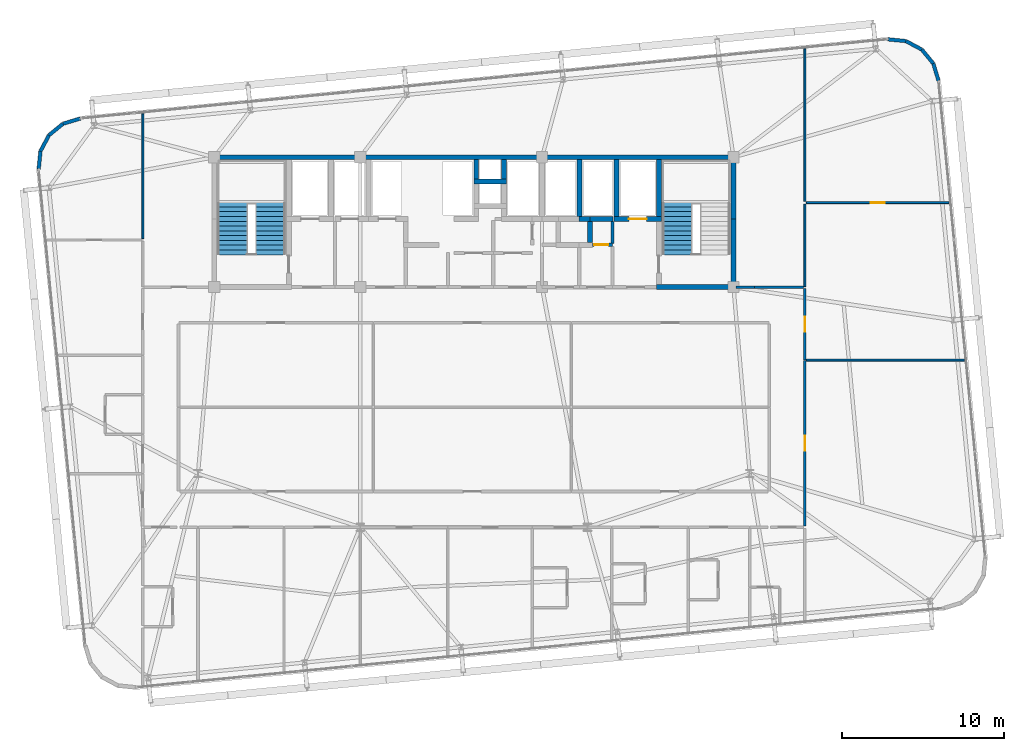
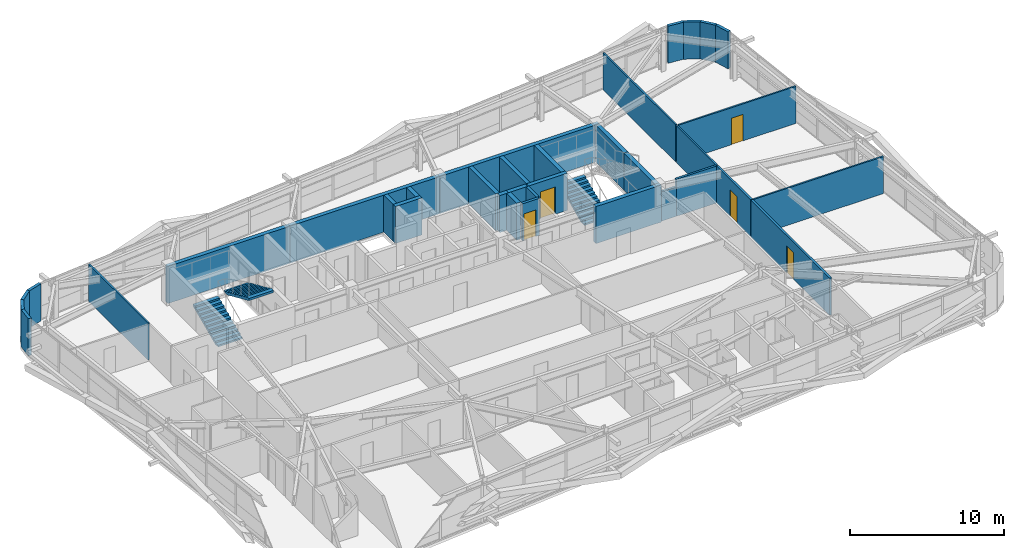
# One storey, part 50 of 54: 35 walls, 5 doors, 3 stair flights, 5 openings, 2 elements without a shape of their own.
"""IFC4 building model written with IfcOpenShell, lengths in metres."""

from ifc_helpers import new_model, si_unit, direction, frame, frame_2d, origin, place, context, subcontext, project, spatial, polyline, rectangle, outline, extrude, source, transform, mapped, material, layer, layer_set, type_object, element, fill, aggregate, save


model = new_model("IFC4")

# Units and contexts
model_context = context("Model", 3, precision=1e-05, world=origin(), true_north=direction((0.0, 1.0)))
body_context = subcontext(model_context, "Body", "Model", "MODEL_VIEW")
ifc_project = project(units=[si_unit("LENGTHUNIT", "METRE"), si_unit("AREAUNIT", "SQUARE_METRE"), si_unit("VOLUMEUNIT", "CUBIC_METRE"), si_unit("PLANEANGLEUNIT", "RADIAN"), si_unit("MASSUNIT", "GRAM", prefix="KILO")], contexts=[model_context])

# Site, building, storey
site_placement = place(None, origin())
site = spatial("IfcSite", under=ifc_project, at=site_placement, CompositionType="ELEMENT")
building_placement = place(site_placement, origin())
building = spatial("IfcBuilding", under=site, at=building_placement, Name="Taldren Reach Tower", CompositionType="ELEMENT")
storey_placement = place(building_placement, frame((0.0, 0.0, 99.75)))
storey = spatial("IfcBuildingStorey", under=building, at=storey_placement, Name="L30", CompositionType="ELEMENT", Elevation=99.75)

# Walls
ifc_material_1 = material(Name="Pale Champagne Anodised Aluminium Cladding", Category="aluminium")
ifc_layer_1 = layer(ifc_material_1, 0.04, Name="Pale Champagne Anodised Aluminium Cladding", Category="aluminium")
ifc_material_2 = material(Name="Mineral Wool Acoustic Insulation", Category="insulation")
ifc_layer_2 = layer(ifc_material_2, 0.06, Name="Mineral Wool Acoustic Insulation", Category="insulation")
ifc_material_3 = material(Name="Steel Gr 350 (C350L0)", Category="steel")
ifc_layer_3 = layer(ifc_material_3, 0.12, Name="Steel Gr 350 (C350L0)", Category="steel")
ifc_layer_set_1 = layer_set([ifc_layer_1, ifc_layer_2, ifc_layer_3], Name="Pale Champagne Aluminium Cladding and Steel Gr 350 Stud Framing")
wall_type_1 = type_object("IfcWallType", Name="EW-CRN-220", PredefinedType="SOLIDWALL", material=ifc_layer_set_1)
shared_shape_1 = source(origin(), body_context, "Body", "SweptSolid", [
    extrude(rectangle(XDim=1.115966796875, YDim=0.219970703125, at=frame_2d((0.55810546875, 0.0))), origin(), (0.0, 0.0, 1.0), 2.929931640625),
])
for number, where, z_axis, x_axis, name in (
    (1, (63.6376953125, 36.6982421875, 0.0), (0.0, 0.0, 1.0), (-0.289855603468, 0.957070388811, 0.0), "Rounded-corner pale-metal facade wall L30-NE1"),
    (2, (62.606689453125, 38.629150390625, 0.0), (0.0, 0.0, 1.0), (-0.881655534635, 0.471893545461, 0.0), "Rounded-corner pale-metal facade wall L30-NE3"),
    (3, (61.622802734375, 39.15576171875, 0.0), (0.0, 0.0, 1.0), (-0.995142755671, 0.09844234778, 0.0), "Rounded-corner pale-metal facade wall L30-NE4"),
    (4, (10.7509765625, 34.386474609375, 0.0), (0.0, 0.0, 1.0), (-0.957070388811, -0.289855603468, 0.0), "Rounded-corner pale-metal facade wall L30-NW1"),
):
    element("IfcWall", number, at=place(storey_placement, frame(where, z_axis=z_axis, x_axis=x_axis)), inside=storey, type_object=wall_type_1, Name=name, PredefinedType="SOLIDWALL", context=body_context, shape_type="MappedRepresentation", body=[
        mapped(shared_shape_1, transform((0.0, 0.0, 0.0), scale=1.0)),
    ])
shared_shape_2 = source(origin(), body_context, "Body", "SweptSolid", [
    extrude(rectangle(XDim=1.11572265625, YDim=0.219970703125, at=frame_2d((0.557861328125, 0.0))), origin(), (0.0, 0.0, 1.0), 2.929931640625),
])
for number, where, z_axis, x_axis, name in (
    (5, (63.314208984375, 37.766357421875, 0.0), (0.0, 0.0, 1.0), (-0.634095287989, 0.773254916409, 0.0), "Rounded-corner pale-metal facade wall L30-NE2"),
    (6, (9.682861328125, 34.06298828125, 0.0), (0.0, 0.0, 1.0), (-0.773254916409, -0.634095287989, 0.0), "Rounded-corner pale-metal facade wall L30-NW2"),
    (7, (8.29345703125, 32.371337890625, 0.0), (0.0, 0.0, 1.0), (-0.098463783145, -0.99514063499, 0.0), "Rounded-corner pale-metal facade wall L30-NW4"),
):
    element("IfcWall", number, at=place(storey_placement, frame(where, z_axis=z_axis, x_axis=x_axis)), inside=storey, type_object=wall_type_1, Name=name, PredefinedType="SOLIDWALL", context=body_context, shape_type="MappedRepresentation", body=[
        mapped(shared_shape_2, transform((0.0, 0.0, 0.0), scale=1.0)),
    ])
shared_shape_3 = source(origin(), body_context, "Body", "SweptSolid", [
    extrude(rectangle(XDim=1.1162109375, YDim=0.219970703125, at=frame_2d((0.55810546875, 0.0))), origin(), (0.0, 0.0, 1.0), 2.929931640625),
])
wall_1_placement = place(storey_placement, frame((8.820068359375, 33.35546875, 0.0), z_axis=(0.0, 0.0, 1.0), x_axis=(-0.471802540493, -0.881704237704, 0.0)))
element("IfcWall", 8, at=wall_1_placement, inside=storey, type_object=wall_type_1, Name="Rounded-corner pale-metal facade wall L30-NW3", PredefinedType="SOLIDWALL", context=body_context, shape_type="MappedRepresentation", body=[
    mapped(shared_shape_3, transform((0.0, 0.0, 0.0), scale=1.0)),
])

# Wall, opening, door
ifc_material_4 = material(Name="Concrete S50 (50 MPa)", Category="concrete")
ifc_layer_4 = layer(ifc_material_4, 0.199951171875)
ifc_layer_set_2 = layer_set([ifc_layer_4], Name="Concrete S50 (50 MPa)")
wall_type_2 = type_object("IfcWallType", Name="IW-CORE-200", PredefinedType="SOLIDWALL", material=ifc_layer_set_2)
shared_shape_4 = source(origin(), body_context, "Body", "SweptSolid", [
    extrude(rectangle(XDim=1.25, YDim=0.199951171875, at=frame_2d((0.625, 0.0))), origin(), (0.0, 0.0, 1.0), 2.929931640625),
])
wall_2_placement = place(storey_placement, frame((42.300048828125, 26.60009765625, 0.0), z_axis=(0.0, 0.0, 1.0), x_axis=(1.0, 0.0, 0.0)))
wall_2 = element("IfcWall", 9, at=wall_2_placement, inside=storey, type_object=wall_type_2, Name="Rear Core Shear Wall W-INT-L30-058", PredefinedType="SOLIDWALL", context=body_context, shape_type="MappedRepresentation", body=[
    mapped(shared_shape_4, transform((0.0, 0.0, 0.0), scale=1.0)),
])
shared_shape_5 = source(origin(), body_context, "Body", "SweptSolid", [
    extrude(rectangle(XDim=0.8798828125, YDim=2.10009765625, at=frame_2d((0.43994140625, 1.050048828125))), frame((0.0, 0.10986328125, 0.0), z_axis=(0.0, -1.0, 0.0), x_axis=(1.0, 0.0, 0.0)), (0.0, 0.0, 1.0), 0.219970703125),
])
opening_1_placement = place(wall_2_placement, frame((0.110107421875, 0.0, 0.0)))
opening_1 = element("IfcOpeningElement", 10, at=opening_1_placement, cuts=wall_2, Name="Opening DF-088", PredefinedType="OPENING", context=body_context, shape_type="MappedRepresentation", body=[
    mapped(shared_shape_5, transform((0.0, 0.0, 0.0), scale=1.0)),
])
ifc_material_5 = material(Name="Fire-Rated Service Closet Door")
door_type_1 = type_object("IfcDoorType", Name="ID-FIRE-088", OperationType="NOTDEFINED", PredefinedType="DOOR", material=ifc_material_5)
shared_shape_6 = source(origin(), body_context, "Body", "SweptSolid", [
    extrude(rectangle(XDim=0.8798828125, YDim=2.10009765625, at=frame_2d((0.43994140625, 1.050048828125))), frame((0.0, 0.02490234375, 0.0), z_axis=(0.0, -1.0, 0.0), x_axis=(1.0, 0.0, 0.0)), (0.0, 0.0, 1.0), 0.050048828125),
])
door_1_placement = place(opening_1_placement, origin())
door_1 = element("IfcDoor", 11, at=door_1_placement, inside=storey, type_object=door_type_1, Name="Interior Door DR-L30-012", OperationType="SINGLE_SWING_LEFT", OverallHeight=2.10009765625, OverallWidth=0.8798828125, PredefinedType="DOOR", context=body_context, shape_type="MappedRepresentation", body=[
    mapped(shared_shape_6, transform((0.0, 0.0, 0.0), scale=1.0)),
])
fill(opening_1, door_1)

# Walls
ifc_material_6 = material(Name="Concrete S65 (65 MPa)", Category="concrete")
ifc_layer_5 = layer(ifc_material_6, 0.300048828125)
ifc_layer_set_3 = layer_set([ifc_layer_5], Name="Concrete S65 (65 MPa)")
wall_type_3 = type_object("IfcWallType", Name="IW-CORE-300", PredefinedType="SHEAR", material=ifc_layer_set_3)
shared_shape_7 = source(origin(), body_context, "Body", "SweptSolid", [
    extrude(rectangle(XDim=9.14990234375, YDim=0.300048828125, at=frame_2d((4.574951171875, 0.0))), origin(), (0.0, 0.0, 1.0), 2.929931640625),
])
wall_3_placement = place(storey_placement, frame((18.85009765625, 32.0, 0.0), z_axis=(0.0, 0.0, 1.0), x_axis=(1.0, 0.0, 0.0)))
element("IfcWall", 12, at=wall_3_placement, inside=storey, type_object=wall_type_3, Name="Rear Core Shear Wall W-CORE-L30-NORTH1", PredefinedType="SHEAR", context=body_context, shape_type="MappedRepresentation", body=[
    mapped(shared_shape_7, transform((0.0, 0.0, 0.0), scale=1.0)),
])
shared_shape_8 = source(origin(), body_context, "Body", "SweptSolid", [
    extrude(rectangle(XDim=11.199951171875, YDim=0.300048828125, at=frame_2d((5.60009765625, 0.0))), origin(), (0.0, 0.0, 1.0), 2.929931640625),
])
wall_4_placement = place(storey_placement, frame((28.0, 32.0, 0.0), z_axis=(0.0, 0.0, 1.0), x_axis=(1.0, 0.0, 0.0)))
element("IfcWall", 13, at=wall_4_placement, inside=storey, type_object=wall_type_3, Name="Rear Core Shear Wall W-CORE-L30-NORTH2", PredefinedType="SHEAR", context=body_context, shape_type="MappedRepresentation", body=[
    mapped(shared_shape_8, transform((0.0, 0.0, 0.0), scale=1.0)),
])
shared_shape_9 = source(origin(), body_context, "Body", "SweptSolid", [
    extrude(rectangle(XDim=11.949951171875, YDim=0.300048828125, at=frame_2d((5.97509765625, 0.0))), origin(), (0.0, 0.0, 1.0), 2.929931640625),
])
wall_5_placement = place(storey_placement, frame((39.199951171875, 32.0, 0.0), z_axis=(0.0, 0.0, 1.0), x_axis=(1.0, 0.0, 0.0)))
element("IfcWall", 14, at=wall_5_placement, inside=storey, type_object=wall_type_3, Name="Rear Core Shear Wall W-CORE-L30-NORTH3", PredefinedType="SHEAR", context=body_context, shape_type="MappedRepresentation", body=[
    mapped(shared_shape_9, transform((0.0, 0.0, 0.0), scale=1.0)),
])
shared_shape_10 = source(origin(), body_context, "Body", "SweptSolid", [
    extrude(rectangle(XDim=4.050048828125, YDim=0.300048828125, at=frame_2d((2.02490234375, 0.0))), origin(), (0.0, 0.0, 1.0), 2.929931640625),
])
wall_6_placement = place(storey_placement, frame((51.0, 24.14990234375, 0.0), z_axis=(0.0, 0.0, 1.0), x_axis=(0.0, 1.0, 0.0)))
element("IfcWall", 15, at=wall_6_placement, inside=storey, type_object=wall_type_3, Name="Rear Core Shear Wall W-CORE-L30-EAST1", PredefinedType="SHEAR", context=body_context, shape_type="MappedRepresentation", body=[
    mapped(shared_shape_10, transform((0.0, 0.0, 0.0), scale=1.0)),
])
shared_shape_11 = source(origin(), body_context, "Body", "SweptSolid", [
    extrude(rectangle(XDim=3.650146484375, YDim=0.300048828125, at=frame_2d((1.8251953125, 0.0))), origin(), (0.0, 0.0, 1.0), 2.929931640625),
])
wall_7_placement = place(storey_placement, frame((51.0, 28.199951171875, 0.0), z_axis=(0.0, 0.0, 1.0), x_axis=(0.0, 1.0, 0.0)))
element("IfcWall", 16, at=wall_7_placement, inside=storey, type_object=wall_type_3, Name="Rear Core Shear Wall W-CORE-L30-EAST2", PredefinedType="SHEAR", context=body_context, shape_type="MappedRepresentation", body=[
    mapped(shared_shape_11, transform((0.0, 0.0, 0.0), scale=1.0)),
])
shared_shape_12 = source(origin(), body_context, "Body", "SweptSolid", [
    extrude(rectangle(XDim=3.5, YDim=0.300048828125, at=frame_2d((1.75, 0.0))), origin(), (0.0, 0.0, 1.0), 2.929931640625),
])
for number, where, z_axis, x_axis, name in (
    (17, (46.39990234375, 31.85009765625, 0.0), (0.0, 0.0, 1.0), (0.0, -1.0, 0.0), "Rear Core Shear Wall W-INT-L30-008"),
    (18, (43.800048828125, 31.85009765625, 0.0), (0.0, 0.0, 1.0), (0.0, -1.0, 0.0), "Rear Core Shear Wall W-INT-L30-012"),
    (19, (41.5, 28.35009765625, 0.0), (0.0, 0.0, 1.0), (0.0, 1.0, 0.0), "Rear Core Shear Wall W-INT-L30-041"),
):
    element("IfcWall", number, at=place(storey_placement, frame(where, z_axis=z_axis, x_axis=x_axis)), inside=storey, type_object=wall_type_3, Name=name, PredefinedType="SHEAR", context=body_context, shape_type="MappedRepresentation", body=[
        mapped(shared_shape_12, transform((0.0, 0.0, 0.0), scale=1.0)),
    ])
shared_shape_13 = source(origin(), body_context, "Body", "SweptSolid", [
    extrude(rectangle(XDim=4.89990234375, YDim=0.300048828125, at=frame_2d((2.449951171875, 0.0))), origin(), (0.0, 0.0, 1.0), 2.929931640625),
])
wall_8_placement = place(storey_placement, frame((46.25, 24.0, 0.0), z_axis=(0.0, 0.0, 1.0), x_axis=(1.0, 0.0, 0.0)))
element("IfcWall", 20, at=wall_8_placement, inside=storey, type_object=wall_type_3, Name="Rear Core Shear Wall W-INT-L30-010", PredefinedType="SHEAR", context=body_context, shape_type="MappedRepresentation", body=[
    mapped(shared_shape_13, transform((0.0, 0.0, 0.0), scale=1.0)),
])

# Wall, opening, door
shared_shape_14 = source(origin(), body_context, "Body", "SweptSolid", [
    extrude(rectangle(XDim=2.900146484375, YDim=0.300048828125, at=frame_2d((1.4501953125, 0.0))), origin(), (0.0, 0.0, 1.0), 2.929931640625),
])
wall_9_placement = place(storey_placement, frame((43.64990234375, 28.199951171875, 0.0), z_axis=(0.0, 0.0, 1.0), x_axis=(1.0, 0.0, 0.0)))
wall_9 = element("IfcWall", 21, at=wall_9_placement, inside=storey, type_object=wall_type_3, Name="Rear Core Shear Wall W-INT-L30-011", PredefinedType="SHEAR", context=body_context, shape_type="MappedRepresentation", body=[
    mapped(shared_shape_14, transform((0.0, 0.0, 0.0), scale=1.0)),
])
shared_shape_15 = source(origin(), body_context, "Body", "SweptSolid", [
    extrude(rectangle(XDim=1.10009765625, YDim=2.14990234375, at=frame_2d((0.550048828125, 1.074951171875))), frame((0.0, 0.16015625, 0.0), z_axis=(0.0, -1.0, 0.0), x_axis=(1.0, 0.0, 0.0)), (0.0, 0.0, 1.0), 0.320068359375),
])
opening_2_placement = place(wall_9_placement, frame((0.89990234375, 0.0, 0.0)))
opening_2 = element("IfcOpeningElement", 22, at=opening_2_placement, cuts=wall_9, Name="Opening LD-FL2", PredefinedType="OPENING", context=body_context, shape_type="MappedRepresentation", body=[
    mapped(shared_shape_15, transform((0.0, 0.0, 0.0), scale=1.0)),
])
ifc_material_7 = material(Name="Stainless Steel Gr 316 Emergency Lift Landing Door", Category="steel")
door_type_2 = type_object("IfcDoorType", Name="LD-EMG-110", OperationType="SLIDING_TO_LEFT", PredefinedType="DOOR", material=ifc_material_7)
shared_shape_16 = source(origin(), body_context, "Body", "SweptSolid", [
    extrude(rectangle(XDim=1.10009765625, YDim=2.14990234375, at=frame_2d((0.550048828125, 1.074951171875))), frame((0.0, 0.02490234375, 0.0), z_axis=(0.0, -1.0, 0.0), x_axis=(1.0, 0.0, 0.0)), (0.0, 0.0, 1.0), 0.050048828125),
])
door_2_placement = place(opening_2_placement, origin())
door_2 = element("IfcDoor", 23, at=door_2_placement, inside=storey, type_object=door_type_2, Name="Lift Landing Door LD-FL2-L30", OperationType="SLIDING_TO_LEFT", OverallHeight=2.14990234375, OverallWidth=1.10009765625, PredefinedType="DOOR", context=body_context, shape_type="MappedRepresentation", body=[
    mapped(shared_shape_16, transform((0.0, 0.0, 0.0), scale=1.0)),
])
fill(opening_2, door_2)

# Walls
shared_shape_17 = source(origin(), body_context, "Body", "SweptSolid", [
    extrude(rectangle(XDim=1.35009765625, YDim=0.199951171875, at=frame_2d((0.675048828125, 0.0))), origin(), (0.0, 0.0, 1.0), 2.929931640625),
])
wall_10_placement = place(storey_placement, frame((43.550048828125, 28.050048828125, 0.0), z_axis=(0.0, 0.0, 1.0), x_axis=(0.0, -1.0, 0.0)))
element("IfcWall", 24, at=wall_10_placement, inside=storey, type_object=wall_type_2, Name="Rear Core Shear Wall W-INT-L30-014", PredefinedType="SOLIDWALL", context=body_context, shape_type="MappedRepresentation", body=[
    mapped(shared_shape_17, transform((0.0, 0.0, 0.0), scale=1.0)),
])
shared_shape_18 = source(origin(), body_context, "Body", "SweptSolid", [
    extrude(rectangle(XDim=2.0, YDim=0.300048828125, at=frame_2d((1.0, 0.0))), origin(), (0.0, 0.0, 1.0), 2.929931640625),
])
wall_11_placement = place(storey_placement, frame((35.0, 30.5, 0.0), z_axis=(0.0, 0.0, 1.0), x_axis=(1.0, 0.0, 0.0)))
element("IfcWall", 25, at=wall_11_placement, inside=storey, type_object=wall_type_3, Name="Rear Core Shear Wall W-INT-L30-016", PredefinedType="SHEAR", context=body_context, shape_type="MappedRepresentation", body=[
    mapped(shared_shape_18, transform((0.0, 0.0, 0.0), scale=1.0)),
])
shared_shape_19 = source(origin(), body_context, "Body", "SweptSolid", [
    extrude(rectangle(XDim=1.2001953125, YDim=0.300048828125, at=frame_2d((0.60009765625, 0.0))), origin(), (0.0, 0.0, 1.0), 2.929931640625),
])
for number, where, z_axis, x_axis, name in (
    (26, (35.14990234375, 31.85009765625, 0.0), (0.0, 0.0, 1.0), (0.0, -1.0, 0.0), "Rear Core Shear Wall W-INT-L30-017"),
    (27, (36.85009765625, 30.64990234375, 0.0), (0.0, 0.0, 1.0), (0.0, 1.0, 0.0), "Rear Core Shear Wall W-INT-L30-018"),
):
    element("IfcWall", number, at=place(storey_placement, frame(where, z_axis=z_axis, x_axis=x_axis)), inside=storey, type_object=wall_type_3, Name=name, PredefinedType="SHEAR", context=body_context, shape_type="MappedRepresentation", body=[
        mapped(shared_shape_19, transform((0.0, 0.0, 0.0), scale=1.0)),
    ])
shared_shape_20 = source(origin(), body_context, "Body", "SweptSolid", [
    extrude(rectangle(XDim=1.300048828125, YDim=0.300048828125, at=frame_2d((0.64990234375, 0.0))), origin(), (0.0, 0.0, 1.0), 2.929931640625),
])
wall_12_placement = place(storey_placement, frame((42.14990234375, 26.75, 0.0), z_axis=(0.0, 0.0, 1.0), x_axis=(0.0, 1.0, 0.0)))
element("IfcWall", 28, at=wall_12_placement, inside=storey, type_object=wall_type_3, Name="Rear Core Shear Wall W-INT-L30-029", PredefinedType="SHEAR", context=body_context, shape_type="MappedRepresentation", body=[
    mapped(shared_shape_20, transform((0.0, 0.0, 0.0), scale=1.0)),
])
shared_shape_21 = source(origin(), body_context, "Body", "SweptSolid", [
    extrude(rectangle(XDim=0.669921875, YDim=0.300048828125, at=frame_2d((0.3349609375, 0.0))), origin(), (0.0, 0.0, 1.0), 2.929931640625),
])
wall_13_placement = place(storey_placement, frame((42.14990234375, 28.199951171875, 0.0), z_axis=(0.0, 0.0, 1.0), x_axis=(-1.0, 0.0, 0.0)))
element("IfcWall", 29, at=wall_13_placement, inside=storey, type_object=wall_type_3, Name="Rear Core Shear Wall W-INT-L30-025", PredefinedType="SHEAR", context=body_context, shape_type="MappedRepresentation", body=[
    mapped(shared_shape_21, transform((0.0, 0.0, 0.0), scale=1.0)),
])
shared_shape_22 = source(origin(), body_context, "Body", "SweptSolid", [
    extrude(rectangle(XDim=1.440185546875, YDim=0.300048828125, at=frame_2d((0.72021484375, 0.0))), origin(), (0.0, 0.0, 1.0), 2.929931640625),
])
wall_14_placement = place(storey_placement, frame((42.1298828125, 28.199951171875, 0.0), z_axis=(0.0, 0.0, 1.0), x_axis=(1.0, 0.0, 0.0)))
element("IfcWall", 30, at=wall_14_placement, inside=storey, type_object=wall_type_3, Name="Rear Core Shear Wall W-INT-L30-043", PredefinedType="SHEAR", context=body_context, shape_type="MappedRepresentation", body=[
    mapped(shared_shape_22, transform((0.0, 0.0, 0.0), scale=1.0)),
])
ifc_material_8 = material(Name="Fire-Rated Acoustic Plasterboard Stud Wall", Category="gypsum")
ifc_layer_6 = layer(ifc_material_8, 0.159912109375)
ifc_layer_set_4 = layer_set([ifc_layer_6], Name="Fire-Rated Acoustic Plasterboard Stud Wall")
wall_type_4 = type_object("IfcWallType", Name="IW-FIRE-160", PredefinedType="PARTITIONING", material=ifc_layer_set_4)
shared_shape_23 = source(origin(), body_context, "Body", "SweptSolid", [
    extrude(rectangle(XDim=1.154541015625, YDim=0.159912109375, at=frame_2d((0.5771484375, 0.0))), origin(), (0.0, 0.0, 1.0), 2.327880859375),
])
wall_15_placement = place(storey_placement, frame((51.14990234375, 24.0, 0.0), z_axis=(0.0, 0.0, 1.0), x_axis=(1.0, 0.0, 0.0)))
element("IfcWall", 31, at=wall_15_placement, inside=storey, type_object=wall_type_4, Name="Interior Partition Wall W-INT-L30-077", PredefinedType="PARTITIONING", context=body_context, shape_type="MappedRepresentation", body=[
    mapped(shared_shape_23, transform((0.0, 0.0, 0.0), scale=1.0)),
])
shared_shape_24 = source(origin(), body_context, "Body", "SweptSolid", [
    extrude(rectangle(XDim=3.015625, YDim=0.159912109375, at=frame_2d((1.5078125, 0.0))), origin(), (0.0, 0.0, 1.0), 2.929931640625),
])
wall_16_placement = place(storey_placement, frame((52.304443359375, 24.0, 0.0), z_axis=(0.0, 0.0, 1.0), x_axis=(1.0, 0.0, 0.0)))
element("IfcWall", 32, at=wall_16_placement, inside=storey, type_object=wall_type_4, Name="Interior Partition Wall W-INT-L30-077 part 2", PredefinedType="PARTITIONING", context=body_context, shape_type="MappedRepresentation", body=[
    mapped(shared_shape_24, transform((0.0, 0.0, 0.0), scale=1.0)),
])

# Wall, opening, door
shared_shape_25 = source(origin(), body_context, "Body", "SweptSolid", [
    extrude(rectangle(XDim=10.19970703125, YDim=0.159912109375, at=frame_2d((5.099853515625, 0.0))), origin(), (0.0, 0.0, 1.0), 2.929931640625),
])
wall_17_placement = place(storey_placement, frame((55.39990234375, 19.479736328125, 0.0), z_axis=(0.0, 0.0, 1.0), x_axis=(0.0, -1.0, 0.0)))
wall_17 = element("IfcWall", 33, at=wall_17_placement, inside=storey, type_object=wall_type_4, Name="Interior Partition Wall W-INT-L30-074", PredefinedType="PARTITIONING", context=body_context, shape_type="MappedRepresentation", body=[
    mapped(shared_shape_25, transform((0.0, 0.0, 0.0), scale=1.0)),
])
shared_shape_26 = source(origin(), body_context, "Body", "SweptSolid", [
    extrude(rectangle(XDim=0.919921875, YDim=2.10009765625, at=frame_2d((0.4599609375, 1.050048828125))), frame((0.0, 0.08984375, 0.0), z_axis=(0.0, -1.0, 0.0), x_axis=(1.0, 0.0, 0.0)), (0.0, 0.0, 1.0), 0.179931640625),
])
opening_3_placement = place(wall_17_placement, frame((4.639892578125, 0.0, 0.0)))
opening_3 = element("IfcOpeningElement", 34, at=opening_3_placement, cuts=wall_17, Name="Opening DI-092", PredefinedType="OPENING", context=body_context, shape_type="MappedRepresentation", body=[
    mapped(shared_shape_26, transform((0.0, 0.0, 0.0), scale=1.0)),
])
ifc_material_9 = material(Name="Solid-Core Timber Suite Door", Category="wood")
door_type_3 = type_object("IfcDoorType", Name="ID-INT-092", OperationType="NOTDEFINED", PredefinedType="DOOR", material=ifc_material_9)
shared_shape_27 = source(origin(), body_context, "Body", "SweptSolid", [
    extrude(rectangle(XDim=0.919921875, YDim=2.10009765625, at=frame_2d((0.4599609375, 1.050048828125))), frame((0.0, 0.02490234375, 0.0), z_axis=(0.0, -1.0, 0.0), x_axis=(1.0, 0.0, 0.0)), (0.0, 0.0, 1.0), 0.050048828125),
])
door_3_placement = place(opening_3_placement, origin())
door_3 = element("IfcDoor", 35, at=door_3_placement, inside=storey, type_object=door_type_3, Name="Interior Door DR-L30-022", OperationType="SINGLE_SWING_LEFT", OverallHeight=2.10009765625, OverallWidth=0.919921875, PredefinedType="DOOR", context=body_context, shape_type="MappedRepresentation", body=[
    mapped(shared_shape_27, transform((0.0, 0.0, 0.0), scale=1.0)),
])
fill(opening_3, door_3)

shared_shape_28 = source(origin(), body_context, "Body", "SweptSolid", [
    extrude(rectangle(XDim=4.399658203125, YDim=0.159912109375, at=frame_2d((2.19970703125, 0.0))), origin(), (0.0, 0.0, 1.0), 2.929931640625),
])
wall_18_placement = place(storey_placement, frame((55.39990234375, 23.919921875, 0.0), z_axis=(0.0, 0.0, 1.0), x_axis=(0.0, -1.0, 0.0)))
wall_18 = element("IfcWall", 36, at=wall_18_placement, inside=storey, type_object=wall_type_4, Name="Interior Partition Wall W-INT-L30-075", PredefinedType="PARTITIONING", context=body_context, shape_type="MappedRepresentation", body=[
    mapped(shared_shape_28, transform((0.0, 0.0, 0.0), scale=1.0)),
])
opening_4_placement = place(wall_18_placement, frame((1.739990234375, 0.0, 0.0)))
opening_4 = element("IfcOpeningElement", 37, at=opening_4_placement, cuts=wall_18, Name="Opening DI-092", PredefinedType="OPENING", context=body_context, shape_type="MappedRepresentation", body=[
    mapped(shared_shape_26, transform((0.0, 0.0, 0.0), scale=1.0)),
])
door_4_placement = place(opening_4_placement, origin())
door_4 = element("IfcDoor", 38, at=door_4_placement, inside=storey, type_object=door_type_3, Name="Interior Door DR-L30-023", OperationType="SINGLE_SWING_RIGHT", OverallHeight=2.10009765625, OverallWidth=0.919921875, PredefinedType="DOOR", context=body_context, shape_type="MappedRepresentation", body=[
    mapped(shared_shape_27, transform((0.0, 0.0, 0.0), scale=1.0)),
])
fill(opening_4, door_4)

# Walls
ifc_material_10 = material(Name="Insulated Residential Stud Partition", Category="gypsum")
ifc_layer_7 = layer(ifc_material_10, 0.1201171875)
ifc_layer_set_5 = layer_set([ifc_layer_7], Name="Insulated Residential Stud Partition")
wall_type_5 = type_object("IfcWallType", Name="IW-PART-120", PredefinedType="PARTITIONING", material=ifc_layer_set_5)
shared_shape_29 = source(origin(), body_context, "Body", "SweptSolid", [
    extrude(rectangle(XDim=7.685546875, YDim=0.1201171875, at=frame_2d((3.8427734375, 0.0))), origin(), (0.0, 0.0, 1.0), 2.929931640625),
])
wall_19_placement = place(storey_placement, frame((14.60009765625, 34.66552734375, 0.0), z_axis=(0.0, 0.0, 1.0), x_axis=(0.0, -1.0, 0.0)))
element("IfcWall", 39, at=wall_19_placement, inside=storey, type_object=wall_type_5, Name="Interior Partition Wall W-INT-L30-137", PredefinedType="PARTITIONING", context=body_context, shape_type="MappedRepresentation", body=[
    mapped(shared_shape_29, transform((0.0, 0.0, 0.0), scale=1.0)),
])
shared_shape_30 = source(origin(), body_context, "Body", "SweptSolid", [
    extrude(rectangle(XDim=9.757568359375, YDim=0.1201171875, at=frame_2d((4.87890625, 0.0))), origin(), (0.0, 0.0, 1.0), 2.929931640625),
])
wall_20_placement = place(storey_placement, frame((55.48193359375, 19.5, 0.0), z_axis=(0.0, 0.0, 1.0), x_axis=(1.0, 0.0, 0.0)))
element("IfcWall", 40, at=wall_20_placement, inside=storey, type_object=wall_type_5, Name="Interior Partition Wall W-INT-L30-138", PredefinedType="PARTITIONING", context=body_context, shape_type="MappedRepresentation", body=[
    mapped(shared_shape_30, transform((0.0, 0.0, 0.0), scale=1.0)),
])

# Wall, opening, door
shared_shape_31 = source(origin(), body_context, "Body", "SweptSolid", [
    extrude(rectangle(XDim=8.806396484375, YDim=0.1201171875, at=frame_2d((4.4033203125, 0.0))), origin(), (0.0, 0.0, 1.0), 2.929931640625),
])
wall_21_placement = place(storey_placement, frame((55.48193359375, 29.199951171875, 0.0), z_axis=(0.0, 0.0, 1.0), x_axis=(1.0, 0.0, 0.0)))
wall_21 = element("IfcWall", 41, at=wall_21_placement, inside=storey, type_object=wall_type_5, Name="Interior Partition Wall W-INT-L30-139", PredefinedType="PARTITIONING", context=body_context, shape_type="MappedRepresentation", body=[
    mapped(shared_shape_31, transform((0.0, 0.0, 0.0), scale=1.0)),
])
shared_shape_32 = source(origin(), body_context, "Body", "SweptSolid", [
    extrude(rectangle(XDim=0.860107421875, YDim=2.10009765625, at=frame_2d((0.43017578125, 1.050048828125))), frame((0.0, 0.070068359375, 0.0), z_axis=(0.0, -1.0, 0.0), x_axis=(1.0, 0.0, 0.0)), (0.0, 0.0, 1.0), 0.14013671875),
])
opening_5_placement = place(wall_21_placement, frame((3.97314453125, 0.0, 0.0)))
opening_5 = element("IfcOpeningElement", 42, at=opening_5_placement, cuts=wall_21, Name="Opening DI-086", PredefinedType="OPENING", context=body_context, shape_type="MappedRepresentation", body=[
    mapped(shared_shape_32, transform((0.0, 0.0, 0.0), scale=1.0)),
])
ifc_material_11 = material(Name="Timber Bathroom Door", Category="wood")
door_type_4 = type_object("IfcDoorType", Name="ID-INT-086", OperationType="NOTDEFINED", PredefinedType="DOOR", material=ifc_material_11)
shared_shape_33 = source(origin(), body_context, "Body", "SweptSolid", [
    extrude(rectangle(XDim=0.860107421875, YDim=2.10009765625, at=frame_2d((0.43017578125, 1.050048828125))), frame((0.0, 0.02490234375, 0.0), z_axis=(0.0, -1.0, 0.0), x_axis=(1.0, 0.0, 0.0)), (0.0, 0.0, 1.0), 0.050048828125),
])
door_5_placement = place(opening_5_placement, origin())
door_5 = element("IfcDoor", 43, at=door_5_placement, inside=storey, type_object=door_type_4, Name="Interior Door DR-L30-043", OperationType="SINGLE_SWING_RIGHT", OverallHeight=2.10009765625, OverallWidth=0.860107421875, PredefinedType="DOOR", context=body_context, shape_type="MappedRepresentation", body=[
    mapped(shared_shape_33, transform((0.0, 0.0, 0.0), scale=1.0)),
])
fill(opening_5, door_5)

# Walls
shared_shape_34 = source(origin(), body_context, "Body", "SweptSolid", [
    extrude(rectangle(XDim=5.09765625, YDim=0.1201171875, at=frame_2d((2.548828125, 0.0))), origin(), (0.0, 0.0, 1.0), 2.929931640625),
])
wall_22_placement = place(storey_placement, frame((55.39990234375, 24.020263671875, 0.0), z_axis=(0.0, 0.0, 1.0), x_axis=(0.0, 1.0, 0.0)))
element("IfcWall", 44, at=wall_22_placement, inside=storey, type_object=wall_type_5, Name="Interior Partition Wall W-INT-L30-140", PredefinedType="PARTITIONING", context=body_context, shape_type="MappedRepresentation", body=[
    mapped(shared_shape_34, transform((0.0, 0.0, 0.0), scale=1.0)),
])
shared_shape_35 = source(origin(), body_context, "Body", "SweptSolid", [
    extrude(rectangle(XDim=9.401611328125, YDim=0.1201171875, at=frame_2d((4.70068359375, 0.0))), origin(), (0.0, 0.0, 1.0), 2.929931640625),
])
wall_23_placement = place(storey_placement, frame((55.39990234375, 29.280029296875, 0.0), z_axis=(0.0, 0.0, 1.0), x_axis=(0.0, 1.0, 0.0)))
element("IfcWall", 45, at=wall_23_placement, inside=storey, type_object=wall_type_5, Name="Interior Partition Wall W-INT-L30-141", PredefinedType="PARTITIONING", context=body_context, shape_type="MappedRepresentation", body=[
    mapped(shared_shape_35, transform((0.0, 0.0, 0.0), scale=1.0)),
])

# Stair, stair flights
stair_type = type_object("IfcStairType", Name="ST-HT-315", PredefinedType="HALF_TURN_STAIR", material=ifc_material_4)
stair_1_placement = place(storey_placement, origin())
stair_1 = element("IfcStair", 46, at=stair_1_placement, inside=storey, type_object=stair_type, Name="Fire-isolated exit stair ST1 L30", PredefinedType="HALF_TURN_STAIR")
stair_flight_type = type_object("IfcStairFlightType", Name="SF-STR-315", PredefinedType="STRAIGHT", material=ifc_material_4)
stair_flight_1_placement = place(storey_placement, frame((20.139892578125, 25.989990234375, 0.0), z_axis=(0.0, 0.0, 1.0), x_axis=(0.0, 1.0, 0.0)))
stair_flight_1 = element("IfcStairFlight", 47, at=stair_flight_1_placement, type_object=stair_flight_type, Name="ST1 flight 1", NumberOfRisers=12, NumberOfTreads=11, PredefinedType="STRAIGHT", RiserHeight=0.13125, TreadLength=0.295, context=body_context, shape_type="SweptSolid", body=[
    extrude(outline(polyline([(0.0, 0.0), (0.0, 0.13134765625), (0.294921875, 0.13134765625), (0.294921875, 0.262451171875), (0.590087890625, 0.262451171875), (0.590087890625, 0.393798828125), (0.885009765625, 0.393798828125), (0.885009765625, 0.52490234375), (1.179931640625, 0.52490234375), (1.179931640625, 0.65625), (1.47509765625, 0.65625), (1.47509765625, 0.78759765625), (1.77001953125, 0.78759765625), (1.77001953125, 0.918701171875), (2.06494140625, 0.918701171875), (2.06494140625, 1.050048828125), (2.360107421875, 1.050048828125), (2.360107421875, 1.18115234375), (2.655029296875, 1.18115234375), (2.655029296875, 1.3125), (2.949951171875, 1.3125), (2.949951171875, 1.44384765625), (3.2451171875, 1.44384765625), (3.2451171875, 1.574951171875), (3.2451171875, 1.268798828125), (0.393310546875, 0.0), (0.0, 0.0)])), frame((0.0, 0.919921875, 0.0), z_axis=(0.0, -1.0, 0.0), x_axis=(1.0, 0.0, 0.0)), (0.0, 0.0, 1.0), 1.840087890625),
])
stair_flight_2_placement = place(storey_placement, frame((22.4599609375, 29.235107421875, 1.574951171875), z_axis=(0.0, 0.0, 1.0), x_axis=(0.0, -1.0, 0.0)))
stair_flight_2 = element("IfcStairFlight", 48, at=stair_flight_2_placement, type_object=stair_flight_type, Name="ST1 flight 2", NumberOfRisers=12, NumberOfTreads=11, PredefinedType="STRAIGHT", RiserHeight=0.13125, TreadLength=0.295, context=body_context, shape_type="SweptSolid", body=[
    extrude(outline(polyline([(0.0, 0.0), (0.0, 0.13134765625), (0.294921875, 0.13134765625), (0.294921875, 0.262451171875), (0.590087890625, 0.262451171875), (0.590087890625, 0.393798828125), (0.885009765625, 0.393798828125), (0.885009765625, 0.52490234375), (1.179931640625, 0.52490234375), (1.179931640625, 0.65625), (1.47509765625, 0.65625), (1.47509765625, 0.78759765625), (1.77001953125, 0.78759765625), (1.77001953125, 0.918701171875), (2.06494140625, 0.918701171875), (2.06494140625, 1.050048828125), (2.360107421875, 1.050048828125), (2.360107421875, 1.18115234375), (2.655029296875, 1.18115234375), (2.655029296875, 1.3125), (2.949951171875, 1.3125), (2.949951171875, 1.44384765625), (3.2451171875, 1.44384765625), (3.2451171875, 1.574951171875), (3.2451171875, 1.268798828125), (0.393310546875, 0.0), (0.0, 0.0)])), frame((0.0, 0.919921875, 0.0), z_axis=(0.0, -1.0, 0.0), x_axis=(1.0, 0.0, 0.0)), (0.0, 0.0, 1.0), 1.840087890625),
])
aggregate(stair_1, [stair_flight_1, stair_flight_2])

# Stair, stair flight
stair_2_placement = place(storey_placement, origin())
stair_2 = element("IfcStair", 49, at=stair_2_placement, inside=storey, type_object=stair_type, Name="Fire-isolated exit stair ST2 L30", PredefinedType="HALF_TURN_STAIR")
stair_flight_3_placement = place(storey_placement, frame((47.5400390625, 25.989990234375, 0.0), z_axis=(0.0, 0.0, 1.0), x_axis=(0.0, 1.0, 0.0)))
stair_flight_3 = element("IfcStairFlight", 50, at=stair_flight_3_placement, type_object=stair_flight_type, Name="ST2 flight 1", NumberOfRisers=12, NumberOfTreads=11, PredefinedType="STRAIGHT", RiserHeight=0.13125, TreadLength=0.295, context=body_context, shape_type="SweptSolid", body=[
    extrude(outline(polyline([(0.0, 0.0), (0.0, 0.13134765625), (0.294921875, 0.13134765625), (0.294921875, 0.262451171875), (0.590087890625, 0.262451171875), (0.590087890625, 0.393798828125), (0.885009765625, 0.393798828125), (0.885009765625, 0.52490234375), (1.179931640625, 0.52490234375), (1.179931640625, 0.65625), (1.47509765625, 0.65625), (1.47509765625, 0.78759765625), (1.77001953125, 0.78759765625), (1.77001953125, 0.918701171875), (2.06494140625, 0.918701171875), (2.06494140625, 1.050048828125), (2.360107421875, 1.050048828125), (2.360107421875, 1.18115234375), (2.655029296875, 1.18115234375), (2.655029296875, 1.3125), (2.949951171875, 1.3125), (2.949951171875, 1.44384765625), (3.2451171875, 1.44384765625), (3.2451171875, 1.574951171875), (3.2451171875, 1.268798828125), (0.393310546875, 0.0), (0.0, 0.0)])), frame((0.0, 0.919921875, 0.0), z_axis=(0.0, -1.0, 0.0), x_axis=(1.0, 0.0, 0.0)), (0.0, 0.0, 1.0), 1.840087890625),
])
aggregate(stair_2, [stair_flight_3])

save(model, "model.ifc")
